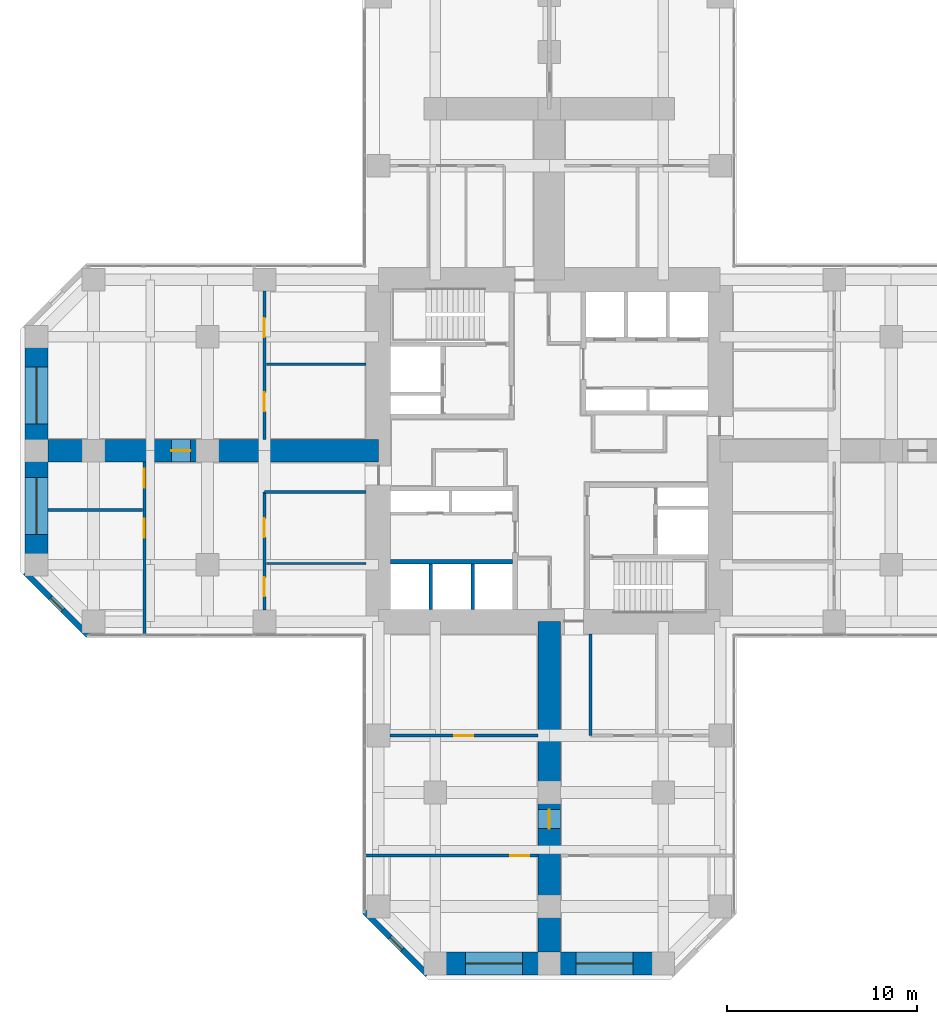
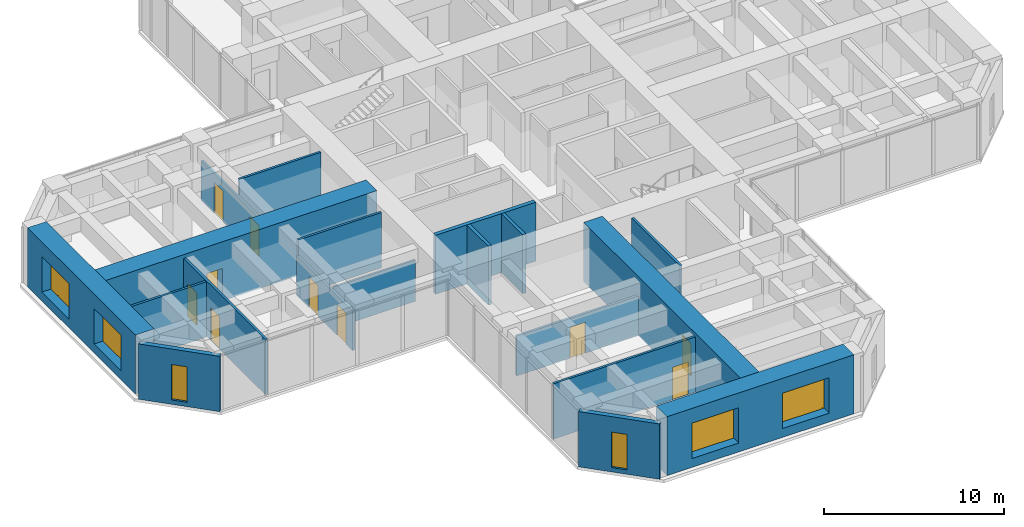
# One storey, part 8 of 13: 19 walls, 10 doors, 6 windows, 16 openings.
"""IFC4 building model written with IfcOpenShell, lengths in metres."""

from ifc_helpers import new_model, si_unit, direction, frame, frame_2d, origin, place, context, subcontext, project, spatial, rectangle, hollow_rectangle, extrude, material, layer, layer_set, constituent, constituent_set, type_object, element, fill, save


model = new_model("IFC4")

# Units and contexts
model_context = context("Model", 3, precision=1e-05, world=origin(), true_north=direction((0.0, 1.0)))
body_context = subcontext(model_context, "Body", "Model", "MODEL_VIEW")
ifc_project = project(units=[si_unit("LENGTHUNIT", "METRE"), si_unit("AREAUNIT", "SQUARE_METRE"), si_unit("VOLUMEUNIT", "CUBIC_METRE"), si_unit("PLANEANGLEUNIT", "RADIAN"), si_unit("MASSUNIT", "GRAM", prefix="KILO")], contexts=[model_context])

# Site, building, storey
site_placement = place(None, origin())
site = spatial("IfcSite", under=ifc_project, at=site_placement, CompositionType="ELEMENT")
building_placement = place(site_placement, origin())
building = spatial("IfcBuilding", under=site, at=building_placement, Name="Torre Cruceta", CompositionType="ELEMENT")
storey_placement = place(building_placement, frame((0.0, 0.0, 91.5)))
storey = spatial("IfcBuildingStorey", under=building, at=storey_placement, Name="L22", CompositionType="ELEMENT", Elevation=91.5)

# Wall
ifc_material_1 = material(Name="Concrete G60 (fck 60 MPa)", Category="concrete")
ifc_layer_1 = layer(ifc_material_1, 0.25)
ifc_layer_set_1 = layer_set([ifc_layer_1], Name="Concrete G60 (fck 60 MPa)")
wall_type_1 = type_object("IfcWallType", Name="CORE INNER WALL 250 G60", PredefinedType="SHEAR", material=ifc_layer_set_1)
wall_1_placement = place(storey_placement, frame((-1.925048828125, -5.85009765625, 0.0), z_axis=(0.0, 0.0, 1.0), x_axis=(-1.0, 0.0, 0.0)))
element("IfcWall", 1, at=wall_1_placement, inside=storey, type_object=wall_type_1, Name="CW4 L22 SW-LV", PredefinedType="SHEAR", context=body_context, shape_type="SweptSolid", body=[
    extrude(rectangle(XDim=6.425048828125, YDim=0.25, at=frame_2d((3.21240234375, 0.0))), origin(), (0.0, 0.0, 1.0), 4.0),
])

# Wall, opening, window
ifc_material_2 = material(Name="Concrete G30 (fck 30 MPa)", Category="concrete")
ifc_layer_2 = layer(ifc_material_2, 0.300048828125)
ifc_layer_set_2 = layer_set([ifc_layer_2], Name="Concrete G30 (fck 30 MPa)")
wall_type_2 = type_object("IfcWallType", Name="EXPOSED CONCRETE FACADE WALL 300", PredefinedType="SOLIDWALL", material=ifc_layer_set_2)
wall_2_placement = place(storey_placement, frame((-27.60009765625, -6.418212890625, 0.0), z_axis=(0.0, 0.0, 1.0), x_axis=(0.707106781187, -0.707106781187, 0.0)))
wall_2 = element("IfcWall", 2, at=wall_2_placement, inside=storey, type_object=wall_type_2, Name="EW1 facade wall L22 W chamfer 13", PredefinedType="SOLIDWALL", context=body_context, shape_type="SweptSolid", body=[
    extrude(rectangle(XDim=4.66943359375, YDim=0.300048828125, at=frame_2d((2.334716796875, 0.0))), origin(), (0.0, 0.0, 1.0), 3.75),
])
opening_1_placement = place(wall_2_placement, frame((1.884765625, 0.0, 0.300048828125)))
opening_1 = element("IfcOpeningElement", 3, at=opening_1_placement, cuts=wall_2, Name="Opening WN5", PredefinedType="OPENING", context=body_context, shape_type="SweptSolid", body=[
    extrude(rectangle(XDim=0.89990234375, YDim=2.39990234375, at=frame_2d((0.449951171875, 1.199951171875))), frame((0.0, 0.159912109375, 0.0), z_axis=(0.0, -1.0, 0.0), x_axis=(1.0, 0.0, 0.0)), (0.0, 0.0, 1.0), 0.320068359375),
])
ifc_material_3 = material(Name="Aluminium window frame", Category="aluminium")
ifc_constituent_1 = constituent(ifc_material_3, Name="Frame")
ifc_material_4 = material(Name="Laminated insulating glass unit, low-iron clear", Category="glass")
ifc_constituent_2 = constituent(ifc_material_4, Name="Glazing")
ifc_constituent_set_1 = constituent_set(constituents=[ifc_constituent_1, ifc_constituent_2], Name="Aluminium window")
window_type_1 = type_object("IfcWindowType", Name="CHAMFER SLOT WINDOW 900X2400", PartitioningType="SINGLE_PANEL", PredefinedType="WINDOW", material=ifc_constituent_set_1)
window_1_placement = place(opening_1_placement, origin())
window_1 = element("IfcWindow", 4, at=window_1_placement, inside=storey, type_object=window_type_1, Name="WN5 L22 W 1", OverallHeight=2.39990234375, OverallWidth=0.89990234375, PartitioningType="SINGLE_PANEL", PredefinedType="WINDOW", context=body_context, shape_type="SweptSolid", body=[
    extrude(hollow_rectangle(XDim=0.89990234375, YDim=2.39990234375, WallThickness=0.06005859375, at=frame_2d((0.449951171875, 1.199951171875))), frame((0.0, 0.030029296875, 0.0), z_axis=(0.0, -1.0, 0.0), x_axis=(1.0, 0.0, 0.0)), (0.0, 0.0, 1.0), 0.06005859375),
    extrude(rectangle(XDim=0.77880859375, YDim=2.27880859375, at=frame_2d((0.449951171875, 1.199951171875))), frame((0.0, 0.030029296875, 0.0), z_axis=(0.0, -1.0, 0.0), x_axis=(1.0, 0.0, 0.0)), (0.0, 0.0, 1.0), 0.06005859375),
])
fill(opening_1, window_1)

wall_3_placement = place(storey_placement, frame((-9.719970703125, -24.29833984375, 0.0), z_axis=(0.0, 0.0, 1.0), x_axis=(0.707106781187, -0.707106781187, 0.0)))
wall_3 = element("IfcWall", 5, at=wall_3_placement, inside=storey, type_object=wall_type_2, Name="EW1 facade wall L22 S chamfer 16", PredefinedType="SOLIDWALL", context=body_context, shape_type="SweptSolid", body=[
    extrude(rectangle(XDim=4.66943359375, YDim=0.300048828125, at=frame_2d((2.334716796875, 0.0))), origin(), (0.0, 0.0, 1.0), 3.75),
])
opening_2_placement = place(wall_3_placement, frame((1.884765625, 0.0, 0.300048828125)))
opening_2 = element("IfcOpeningElement", 6, at=opening_2_placement, cuts=wall_3, Name="Opening WN5", PredefinedType="OPENING", context=body_context, shape_type="SweptSolid", body=[
    extrude(rectangle(XDim=0.89990234375, YDim=2.39990234375, at=frame_2d((0.449951171875, 1.199951171875))), frame((0.0, 0.159912109375, 0.0), z_axis=(0.0, -1.0, 0.0), x_axis=(1.0, 0.0, 0.0)), (0.0, 0.0, 1.0), 0.320068359375),
])
window_2_placement = place(opening_2_placement, origin())
window_2 = element("IfcWindow", 7, at=window_2_placement, inside=storey, type_object=window_type_1, Name="WN5 L22 S 1", OverallHeight=2.39990234375, OverallWidth=0.89990234375, PartitioningType="SINGLE_PANEL", PredefinedType="WINDOW", context=body_context, shape_type="SweptSolid", body=[
    extrude(hollow_rectangle(XDim=0.89990234375, YDim=2.39990234375, WallThickness=0.06005859375, at=frame_2d((0.449951171875, 1.199951171875))), frame((0.0, 0.030029296875, 0.0), z_axis=(0.0, -1.0, 0.0), x_axis=(1.0, 0.0, 0.0)), (0.0, 0.0, 1.0), 0.06005859375),
    extrude(rectangle(XDim=0.77880859375, YDim=2.27880859375, at=frame_2d((0.449951171875, 1.199951171875))), frame((0.0, 0.030029296875, 0.0), z_axis=(0.0, -1.0, 0.0), x_axis=(1.0, 0.0, 0.0)), (0.0, 0.0, 1.0), 0.06005859375),
])
fill(opening_2, window_2)

# Walls
ifc_material_5 = material(Name="Concrete G35 (fck 35 MPa)", Category="concrete")
ifc_layer_3 = layer(ifc_material_5, 0.199951171875)
ifc_layer_set_3 = layer_set([ifc_layer_3], Name="Concrete G35 (fck 35 MPa)")
wall_type_3 = type_object("IfcWallType", Name="LIFT SHAFT WALL 200", PredefinedType="PARTITIONING", material=ifc_layer_set_3)
for number, where, z_axis, x_axis, name in (
    (8, (-4.033447265625, -5.97509765625, 0.0), (0.0, 0.0, 1.0), (0.0, -1.0, 0.0), "SW1 L22 SW-LS1"),
    (9, (-6.24169921875, -5.97509765625, 0.0), (0.0, 0.0, 1.0), (0.0, -1.0, 0.0), "SW1 L22 SW-LS2"),
):
    element("IfcWall", number, at=place(storey_placement, frame(where, z_axis=z_axis, x_axis=x_axis)), inside=storey, type_object=wall_type_3, Name=name, PredefinedType="PARTITIONING", context=body_context, shape_type="SweptSolid", body=[
        extrude(rectangle(XDim=2.375, YDim=0.199951171875, at=frame_2d((1.1875, 0.0))), origin(), (0.0, 0.0, 1.0), 4.0),
    ])

# Wall, openings, windows
ifc_material_6 = material(Name="Concrete G60 (fck 60 MPa)", Category="concrete")
ifc_layer_4 = layer(ifc_material_6, 1.199951171875)
ifc_layer_set_4 = layer_set([ifc_layer_4], Name="Concrete G60 (fck 60 MPa)")
wall_type_4 = type_object("IfcWallType", Name="NOSE WALL 1200 G60", PredefinedType="SHEAR", material=ifc_layer_set_4)
wall_4_placement = place(storey_placement, frame((-6.0, -27.0, 0.0), z_axis=(0.0, 0.0, 1.0), x_axis=(1.0, 0.0, 0.0)))
wall_4 = element("IfcWall", 10, at=wall_4_placement, inside=storey, type_object=wall_type_4, Name="NW1 nose wall L22 S", PredefinedType="SHEAR", context=body_context, shape_type="SweptSolid", body=[
    extrude(rectangle(XDim=12.0, YDim=1.199951171875, at=frame_2d((6.0, 0.0))), origin(), (0.0, 0.0, 1.0), 4.0),
])
opening_3_placement = place(wall_4_placement, frame((1.60009765625, 0.0, 0.60009765625)))
opening_3 = element("IfcOpeningElement", 11, at=opening_3_placement, cuts=wall_4, Name="Opening WN6", PredefinedType="OPENING", context=body_context, shape_type="SweptSolid", body=[
    extrude(rectangle(XDim=3.0, YDim=2.39990234375, at=frame_2d((1.5, 1.199951171875))), frame((0.0, 0.60986328125, 0.0), z_axis=(0.0, -1.0, 0.0), x_axis=(1.0, 0.0, 0.0)), (0.0, 0.0, 1.0), 1.219970703125),
])
opening_4_placement = place(wall_4_placement, frame((7.39990234375, 0.0, 0.60009765625)))
opening_4 = element("IfcOpeningElement", 12, at=opening_4_placement, cuts=wall_4, Name="Opening WN6", PredefinedType="OPENING", context=body_context, shape_type="SweptSolid", body=[
    extrude(rectangle(XDim=3.0, YDim=2.39990234375, at=frame_2d((1.5, 1.199951171875))), frame((0.0, 0.60986328125, 0.0), z_axis=(0.0, -1.0, 0.0), x_axis=(1.0, 0.0, 0.0)), (0.0, 0.0, 1.0), 1.219970703125),
])
ifc_material_7 = material(Name="Aluminium window frame", Category="aluminium")
ifc_constituent_3 = constituent(ifc_material_7, Name="Frame")
ifc_material_8 = material(Name="Laminated insulating glass unit, low-iron clear", Category="glass")
ifc_constituent_4 = constituent(ifc_material_8, Name="Glazing")
ifc_constituent_set_2 = constituent_set(constituents=[ifc_constituent_3, ifc_constituent_4], Name="Aluminium window")
window_type_2 = type_object("IfcWindowType", Name="NOSE WALL WINDOW 3000X2400", PartitioningType="SINGLE_PANEL", PredefinedType="WINDOW", material=ifc_constituent_set_2)
window_3_placement = place(opening_3_placement, origin())
window_3 = element("IfcWindow", 13, at=window_3_placement, inside=storey, type_object=window_type_2, Name="WN6 L22 S 1", OverallHeight=2.39990234375, OverallWidth=3.0, PartitioningType="SINGLE_PANEL", PredefinedType="WINDOW", context=body_context, shape_type="SweptSolid", body=[
    extrude(hollow_rectangle(XDim=3.0, YDim=2.39990234375, WallThickness=0.06005859375, at=frame_2d((1.5, 1.199951171875))), frame((0.0, 0.030029296875, 0.0), z_axis=(0.0, -1.0, 0.0), x_axis=(1.0, 0.0, 0.0)), (0.0, 0.0, 1.0), 0.06005859375),
    extrude(rectangle(XDim=2.87890625, YDim=2.27880859375, at=frame_2d((1.5, 1.199951171875))), frame((0.0, 0.030029296875, 0.0), z_axis=(0.0, -1.0, 0.0), x_axis=(1.0, 0.0, 0.0)), (0.0, 0.0, 1.0), 0.06005859375),
])
fill(opening_3, window_3)
window_4_placement = place(opening_4_placement, origin())
window_4 = element("IfcWindow", 14, at=window_4_placement, inside=storey, type_object=window_type_2, Name="WN6 L22 S 2", OverallHeight=2.39990234375, OverallWidth=3.0, PartitioningType="SINGLE_PANEL", PredefinedType="WINDOW", context=body_context, shape_type="SweptSolid", body=[
    extrude(hollow_rectangle(XDim=3.0, YDim=2.39990234375, WallThickness=0.06005859375, at=frame_2d((1.5, 1.199951171875))), frame((0.0, 0.030029296875, 0.0), z_axis=(0.0, -1.0, 0.0), x_axis=(1.0, 0.0, 0.0)), (0.0, 0.0, 1.0), 0.06005859375),
    extrude(rectangle(XDim=2.87890625, YDim=2.27880859375, at=frame_2d((1.5, 1.199951171875))), frame((0.0, 0.030029296875, 0.0), z_axis=(0.0, -1.0, 0.0), x_axis=(1.0, 0.0, 0.0)), (0.0, 0.0, 1.0), 0.06005859375),
])
fill(opening_4, window_4)

wall_5_placement = place(storey_placement, frame((-27.0, 6.0, 0.0), z_axis=(0.0, 0.0, 1.0), x_axis=(0.0, -1.0, 0.0)))
wall_5 = element("IfcWall", 15, at=wall_5_placement, inside=storey, type_object=wall_type_4, Name="NW1 nose wall L22 W", PredefinedType="SHEAR", context=body_context, shape_type="SweptSolid", body=[
    extrude(rectangle(XDim=12.0, YDim=1.199951171875, at=frame_2d((6.0, 0.0))), origin(), (0.0, 0.0, 1.0), 4.0),
])
opening_5_placement = place(wall_5_placement, frame((1.60009765625, 0.0, 0.60009765625)))
opening_5 = element("IfcOpeningElement", 16, at=opening_5_placement, cuts=wall_5, Name="Opening WN6", PredefinedType="OPENING", context=body_context, shape_type="SweptSolid", body=[
    extrude(rectangle(XDim=3.0, YDim=2.39990234375, at=frame_2d((1.5, 1.199951171875))), frame((0.0, 0.60986328125, 0.0), z_axis=(0.0, -1.0, 0.0), x_axis=(1.0, 0.0, 0.0)), (0.0, 0.0, 1.0), 1.219970703125),
])
opening_6_placement = place(wall_5_placement, frame((7.39990234375, 0.0, 0.60009765625)))
opening_6 = element("IfcOpeningElement", 17, at=opening_6_placement, cuts=wall_5, Name="Opening WN6", PredefinedType="OPENING", context=body_context, shape_type="SweptSolid", body=[
    extrude(rectangle(XDim=3.0, YDim=2.39990234375, at=frame_2d((1.5, 1.199951171875))), frame((0.0, 0.60986328125, 0.0), z_axis=(0.0, -1.0, 0.0), x_axis=(1.0, 0.0, 0.0)), (0.0, 0.0, 1.0), 1.219970703125),
])
window_5_placement = place(opening_5_placement, origin())
window_5 = element("IfcWindow", 18, at=window_5_placement, inside=storey, type_object=window_type_2, Name="WN6 L22 W 1", OverallHeight=2.39990234375, OverallWidth=3.0, PartitioningType="SINGLE_PANEL", PredefinedType="WINDOW", context=body_context, shape_type="SweptSolid", body=[
    extrude(hollow_rectangle(XDim=3.0, YDim=2.39990234375, WallThickness=0.06005859375, at=frame_2d((1.5, 1.199951171875))), frame((0.0, 0.030029296875, 0.0), z_axis=(0.0, -1.0, 0.0), x_axis=(1.0, 0.0, 0.0)), (0.0, 0.0, 1.0), 0.06005859375),
    extrude(rectangle(XDim=2.87890625, YDim=2.27880859375, at=frame_2d((1.5, 1.199951171875))), frame((0.0, 0.030029296875, 0.0), z_axis=(0.0, -1.0, 0.0), x_axis=(1.0, 0.0, 0.0)), (0.0, 0.0, 1.0), 0.06005859375),
])
fill(opening_5, window_5)
window_6_placement = place(opening_6_placement, origin())
window_6 = element("IfcWindow", 19, at=window_6_placement, inside=storey, type_object=window_type_2, Name="WN6 L22 W 2", OverallHeight=2.39990234375, OverallWidth=3.0, PartitioningType="SINGLE_PANEL", PredefinedType="WINDOW", context=body_context, shape_type="SweptSolid", body=[
    extrude(hollow_rectangle(XDim=3.0, YDim=2.39990234375, WallThickness=0.06005859375, at=frame_2d((1.5, 1.199951171875))), frame((0.0, 0.030029296875, 0.0), z_axis=(0.0, -1.0, 0.0), x_axis=(1.0, 0.0, 0.0)), (0.0, 0.0, 1.0), 0.06005859375),
    extrude(rectangle(XDim=2.87890625, YDim=2.27880859375, at=frame_2d((1.5, 1.199951171875))), frame((0.0, 0.030029296875, 0.0), z_axis=(0.0, -1.0, 0.0), x_axis=(1.0, 0.0, 0.0)), (0.0, 0.0, 1.0), 0.06005859375),
])
fill(opening_6, window_6)

# Wall
ifc_material_9 = material(Name="Plasterboard on steel studs", Category="steel")
ifc_layer_5 = layer(ifc_material_9, 0.14990234375)
ifc_layer_set_5 = layer_set([ifc_layer_5], Name="Plasterboard on steel studs")
wall_type_5 = type_object("IfcWallType", Name="PARTITION 150", PredefinedType="PARTITIONING", material=ifc_layer_set_5)
wall_6_placement = place(storey_placement, frame((2.175048828125, -9.64990234375, 0.0), z_axis=(0.0, 0.0, 1.0), x_axis=(0.0, -1.0, 0.0)))
element("IfcWall", 20, at=wall_6_placement, inside=storey, type_object=wall_type_5, Name="PT1 L22-S-BSL", PredefinedType="PARTITIONING", context=body_context, shape_type="SweptSolid", body=[
    extrude(rectangle(XDim=5.35009765625, YDim=0.14990234375, at=frame_2d((2.675048828125, 0.0))), origin(), (0.0, 0.0, 1.0), 3.75),
])

# Wall, opening, door
wall_7_placement = place(storey_placement, frame((-8.39990234375, -15.0, 0.0), z_axis=(0.0, 0.0, 1.0), x_axis=(1.0, 0.0, 0.0)))
wall_7 = element("IfcWall", 21, at=wall_7_placement, inside=storey, type_object=wall_type_5, Name="PT1 L22-S-BFR", PredefinedType="PARTITIONING", context=body_context, shape_type="SweptSolid", body=[
    extrude(rectangle(XDim=7.7998046875, YDim=0.14990234375, at=frame_2d((3.89990234375, 0.0))), origin(), (0.0, 0.0, 1.0), 2.699951171875),
])
opening_7_placement = place(wall_7_placement, frame((3.39990234375, 0.0, 0.0)))
opening_7 = element("IfcOpeningElement", 22, at=opening_7_placement, cuts=wall_7, Name="Opening D3", PredefinedType="OPENING", context=body_context, shape_type="SweptSolid", body=[
    extrude(rectangle(XDim=1.0, YDim=2.10009765625, at=frame_2d((0.5, 1.050048828125))), frame((0.0, 0.0849609375, 0.0), z_axis=(0.0, -1.0, 0.0), x_axis=(1.0, 0.0, 0.0)), (0.0, 0.0, 1.0), 0.169921875),
])
ifc_material_10 = material(Name="Steel DX51D", Category="steel")
ifc_constituent_5 = constituent(ifc_material_10, Name="Leaf and frame")
ifc_material_11 = material(Name="Polyester powder coating", Category="paint")
ifc_constituent_6 = constituent(ifc_material_11, Name="Finish")
ifc_constituent_set_3 = constituent_set(constituents=[ifc_constituent_5, ifc_constituent_6], Name="Steel fire door")
door_type_1 = type_object("IfcDoorType", Name="FIRE DOOR 1000X2100", OperationType="SINGLE_SWING_LEFT", PredefinedType="DOOR", material=ifc_constituent_set_3)
door_1_placement = place(opening_7_placement, origin())
door_1 = element("IfcDoor", 23, at=door_1_placement, inside=storey, type_object=door_type_1, Name="D3 L22-S-BFR-D1", OperationType="SINGLE_SWING_RIGHT", OverallHeight=2.10009765625, OverallWidth=1.0, PredefinedType="DOOR", context=body_context, shape_type="SweptSolid", body=[
    extrude(rectangle(XDim=1.0, YDim=2.10009765625, at=frame_2d((0.5, 1.050048828125))), frame((0.0, 0.02490234375, 0.0), z_axis=(0.0, -1.0, 0.0), x_axis=(1.0, 0.0, 0.0)), (0.0, 0.0, 1.0), 0.050048828125),
])
fill(opening_7, door_1)

wall_8_placement = place(storey_placement, frame((-9.679931640625, -21.320068359375, 0.0), z_axis=(0.0, 0.0, 1.0), x_axis=(1.0, 0.0, 0.0)))
wall_8 = element("IfcWall", 24, at=wall_8_placement, inside=storey, type_object=wall_type_5, Name="PT1 L22-S-TWR", PredefinedType="PARTITIONING", context=body_context, shape_type="SweptSolid", body=[
    extrude(rectangle(XDim=9.079833984375, YDim=0.14990234375, at=frame_2d((4.5400390625, 0.0))), origin(), (0.0, 0.0, 1.0), 3.75),
])
opening_8_placement = place(wall_8_placement, frame((7.6298828125, 0.0, 0.0)))
opening_8 = element("IfcOpeningElement", 25, at=opening_8_placement, cuts=wall_8, Name="Opening D14", PredefinedType="OPENING", context=body_context, shape_type="SweptSolid", body=[
    extrude(rectangle(XDim=1.0, YDim=2.199951171875, at=frame_2d((0.5, 1.10009765625))), frame((0.0, 0.0849609375, 0.0), z_axis=(0.0, -1.0, 0.0), x_axis=(1.0, 0.0, 0.0)), (0.0, 0.0, 1.0), 0.169921875),
])
ifc_material_12 = material(Name="Steel DX51D", Category="steel")
ifc_constituent_7 = constituent(ifc_material_12, Name="Leaf and frame")
ifc_material_13 = material(Name="Polyester powder coating", Category="paint")
ifc_constituent_8 = constituent(ifc_material_13, Name="Finish")
ifc_material_14 = material(Name="Fire-resisting glass", Category="glass")
ifc_constituent_9 = constituent(ifc_material_14, Name="Vision panel")
ifc_constituent_set_4 = constituent_set(constituents=[ifc_constituent_7, ifc_constituent_8, ifc_constituent_9], Name="Steel fire door with vision panel")
door_type_2 = type_object("IfcDoorType", Name="FIRE DOOR VISION PANEL 1000X2200", OperationType="SINGLE_SWING_RIGHT", PredefinedType="DOOR", material=ifc_constituent_set_4)
door_2_placement = place(opening_8_placement, frame((1.0, 0.0, 0.0), z_axis=(0.0, 0.0, 1.0), x_axis=(-1.0, 0.0, 0.0)))
door_2 = element("IfcDoor", 26, at=door_2_placement, inside=storey, type_object=door_type_2, Name="D14 L22-S-TWR-D1", OperationType="SINGLE_SWING_LEFT", OverallHeight=2.199951171875, OverallWidth=1.0, PredefinedType="DOOR", context=body_context, shape_type="SweptSolid", body=[
    extrude(rectangle(XDim=1.0, YDim=2.199951171875, at=frame_2d((0.5, 1.10009765625))), frame((0.0, 0.025146484375, 0.0), z_axis=(0.0, -1.0, 0.0), x_axis=(1.0, 0.0, 0.0)), (0.0, 0.0, 1.0), 0.050048828125),
])
fill(opening_8, door_2)

# Wall, openings, doors
wall_9_placement = place(storey_placement, frame((-15.0, -2.175048828125, 0.0), z_axis=(0.0, 0.0, 1.0), x_axis=(0.0, -1.0, 0.0)))
wall_9 = element("IfcWall", 27, at=wall_9_placement, inside=storey, type_object=wall_type_5, Name="PT1 L22-W-BFL", PredefinedType="PARTITIONING", context=body_context, shape_type="SweptSolid", body=[
    extrude(rectangle(XDim=6.224853515625, YDim=0.14990234375, at=frame_2d((3.1123046875, 0.0))), origin(), (0.0, 0.0, 1.0), 2.699951171875),
])
opening_9_placement = place(wall_9_placement, frame((1.382080078125, 0.0, 0.0)))
opening_9 = element("IfcOpeningElement", 28, at=opening_9_placement, cuts=wall_9, Name="Opening D3", PredefinedType="OPENING", context=body_context, shape_type="SweptSolid", body=[
    extrude(rectangle(XDim=1.0, YDim=2.10009765625, at=frame_2d((0.5, 1.050048828125))), frame((0.0, 0.0849609375, 0.0), z_axis=(0.0, -1.0, 0.0), x_axis=(1.0, 0.0, 0.0)), (0.0, 0.0, 1.0), 0.169921875),
])
opening_10_placement = place(wall_9_placement, frame((4.494384765625, 0.0, 0.0)))
opening_10 = element("IfcOpeningElement", 29, at=opening_10_placement, cuts=wall_9, Name="Opening D3", PredefinedType="OPENING", context=body_context, shape_type="SweptSolid", body=[
    extrude(rectangle(XDim=1.0, YDim=2.10009765625, at=frame_2d((0.5, 1.050048828125))), frame((0.0, 0.0849609375, 0.0), z_axis=(0.0, -1.0, 0.0), x_axis=(1.0, 0.0, 0.0)), (0.0, 0.0, 1.0), 0.169921875),
])
door_3_placement = place(opening_9_placement, origin())
door_3 = element("IfcDoor", 30, at=door_3_placement, inside=storey, type_object=door_type_1, Name="D3 L22-W-BFL-D1", OperationType="SINGLE_SWING_LEFT", OverallHeight=2.10009765625, OverallWidth=1.0, PredefinedType="DOOR", context=body_context, shape_type="SweptSolid", body=[
    extrude(rectangle(XDim=1.0, YDim=2.10009765625, at=frame_2d((0.5, 1.050048828125))), frame((0.0, 0.02490234375, 0.0), z_axis=(0.0, -1.0, 0.0), x_axis=(1.0, 0.0, 0.0)), (0.0, 0.0, 1.0), 0.050048828125),
])
fill(opening_9, door_3)
door_4_placement = place(opening_10_placement, origin())
door_4 = element("IfcDoor", 31, at=door_4_placement, inside=storey, type_object=door_type_1, Name="D3 L22-W-BFL-D2", OperationType="SINGLE_SWING_LEFT", OverallHeight=2.10009765625, OverallWidth=1.0, PredefinedType="DOOR", context=body_context, shape_type="SweptSolid", body=[
    extrude(rectangle(XDim=1.0, YDim=2.10009765625, at=frame_2d((0.5, 1.050048828125))), frame((0.0, 0.02490234375, 0.0), z_axis=(0.0, -1.0, 0.0), x_axis=(1.0, 0.0, 0.0)), (0.0, 0.0, 1.0), 0.050048828125),
])
fill(opening_10, door_4)

# Wall
wall_10_placement = place(storey_placement, frame((-9.64990234375, -2.175048828125, 0.0), z_axis=(0.0, 0.0, 1.0), x_axis=(-1.0, 0.0, 0.0)))
element("IfcWall", 32, at=wall_10_placement, inside=storey, type_object=wall_type_5, Name="PT1 L22-W-BSL", PredefinedType="PARTITIONING", context=body_context, shape_type="SweptSolid", body=[
    extrude(rectangle(XDim=5.35009765625, YDim=0.14990234375, at=frame_2d((2.675048828125, 0.0))), origin(), (0.0, 0.0, 1.0), 3.75),
])

# Wall, openings, doors
wall_11_placement = place(storey_placement, frame((-15.0, 8.39990234375, 0.0), z_axis=(0.0, 0.0, 1.0), x_axis=(0.0, -1.0, 0.0)))
wall_11 = element("IfcWall", 33, at=wall_11_placement, inside=storey, type_object=wall_type_5, Name="PT1 L22-W-BFR", PredefinedType="PARTITIONING", context=body_context, shape_type="SweptSolid", body=[
    extrude(rectangle(XDim=7.7998046875, YDim=0.14990234375, at=frame_2d((3.89990234375, 0.0))), origin(), (0.0, 0.0, 1.0), 2.699951171875),
])
opening_11_placement = place(wall_11_placement, frame((1.425048828125, 0.0, 0.0)))
opening_11 = element("IfcOpeningElement", 34, at=opening_11_placement, cuts=wall_11, Name="Opening D3", PredefinedType="OPENING", context=body_context, shape_type="SweptSolid", body=[
    extrude(rectangle(XDim=1.0, YDim=2.10009765625, at=frame_2d((0.5, 1.050048828125))), frame((0.0, 0.0849609375, 0.0), z_axis=(0.0, -1.0, 0.0), x_axis=(1.0, 0.0, 0.0)), (0.0, 0.0, 1.0), 0.169921875),
])
opening_12_placement = place(wall_11_placement, frame((5.324951171875, 0.0, 0.0)))
opening_12 = element("IfcOpeningElement", 35, at=opening_12_placement, cuts=wall_11, Name="Opening D3", PredefinedType="OPENING", context=body_context, shape_type="SweptSolid", body=[
    extrude(rectangle(XDim=1.0, YDim=2.10009765625, at=frame_2d((0.5, 1.050048828125))), frame((0.0, 0.0849609375, 0.0), z_axis=(0.0, -1.0, 0.0), x_axis=(1.0, 0.0, 0.0)), (0.0, 0.0, 1.0), 0.169921875),
])
door_5_placement = place(opening_11_placement, origin())
door_5 = element("IfcDoor", 36, at=door_5_placement, inside=storey, type_object=door_type_1, Name="D3 L22-W-BFR-D1", OperationType="SINGLE_SWING_RIGHT", OverallHeight=2.10009765625, OverallWidth=1.0, PredefinedType="DOOR", context=body_context, shape_type="SweptSolid", body=[
    extrude(rectangle(XDim=1.0, YDim=2.10009765625, at=frame_2d((0.5, 1.050048828125))), frame((0.0, 0.02490234375, 0.0), z_axis=(0.0, -1.0, 0.0), x_axis=(1.0, 0.0, 0.0)), (0.0, 0.0, 1.0), 0.050048828125),
])
fill(opening_11, door_5)
door_6_placement = place(opening_12_placement, origin())
door_6 = element("IfcDoor", 37, at=door_6_placement, inside=storey, type_object=door_type_1, Name="D3 L22-W-BFR-D2", OperationType="SINGLE_SWING_LEFT", OverallHeight=2.10009765625, OverallWidth=1.0, PredefinedType="DOOR", context=body_context, shape_type="SweptSolid", body=[
    extrude(rectangle(XDim=1.0, YDim=2.10009765625, at=frame_2d((0.5, 1.050048828125))), frame((0.0, 0.02490234375, 0.0), z_axis=(0.0, -1.0, 0.0), x_axis=(1.0, 0.0, 0.0)), (0.0, 0.0, 1.0), 0.050048828125),
])
fill(opening_12, door_6)

# Walls
wall_12_placement = place(storey_placement, frame((-9.64990234375, 4.550048828125, 0.0), z_axis=(0.0, 0.0, 1.0), x_axis=(-1.0, 0.0, 0.0)))
element("IfcWall", 38, at=wall_12_placement, inside=storey, type_object=wall_type_5, Name="PT1 L22-W-BDR1", PredefinedType="PARTITIONING", context=body_context, shape_type="SweptSolid", body=[
    extrude(rectangle(XDim=5.25, YDim=0.14990234375, at=frame_2d((2.625, 0.0))), origin(), (0.0, 0.0, 1.0), 3.75),
])
wall_13_placement = place(storey_placement, frame((-21.419921875, -3.117919921875, 0.0), z_axis=(0.0, 0.0, 1.0), x_axis=(-1.0, 0.0, 0.0)))
element("IfcWall", 39, at=wall_13_placement, inside=storey, type_object=wall_type_5, Name="PT1 L22-W-TDL", PredefinedType="PARTITIONING", context=body_context, shape_type="SweptSolid", body=[
    extrude(rectangle(XDim=4.97998046875, YDim=0.14990234375, at=frame_2d((2.489990234375, 0.0))), origin(), (0.0, 0.0, 1.0), 3.75),
])

# Wall, openings, doors
wall_14_placement = place(storey_placement, frame((-21.320068359375, -0.60009765625, 0.0), z_axis=(0.0, 0.0, 1.0), x_axis=(0.0, -1.0, 0.0)))
wall_14 = element("IfcWall", 40, at=wall_14_placement, inside=storey, type_object=wall_type_5, Name="PT1 L22-W-TWL", PredefinedType="PARTITIONING", context=body_context, shape_type="SweptSolid", body=[
    extrude(rectangle(XDim=9.079833984375, YDim=0.14990234375, at=frame_2d((4.5400390625, 0.0))), origin(), (0.0, 0.0, 1.0), 3.75),
])
opening_13_placement = place(wall_14_placement, frame((0.35009765625, 0.0, 0.0)))
opening_13 = element("IfcOpeningElement", 41, at=opening_13_placement, cuts=wall_14, Name="Opening D14", PredefinedType="OPENING", context=body_context, shape_type="SweptSolid", body=[
    extrude(rectangle(XDim=1.0, YDim=2.199951171875, at=frame_2d((0.5, 1.10009765625))), frame((0.0, 0.0849609375, 0.0), z_axis=(0.0, -1.0, 0.0), x_axis=(1.0, 0.0, 0.0)), (0.0, 0.0, 1.0), 0.169921875),
])
opening_14_placement = place(wall_14_placement, frame((2.992919921875, 0.0, 0.0)))
opening_14 = element("IfcOpeningElement", 42, at=opening_14_placement, cuts=wall_14, Name="Opening D14", PredefinedType="OPENING", context=body_context, shape_type="SweptSolid", body=[
    extrude(rectangle(XDim=1.0, YDim=2.199951171875, at=frame_2d((0.5, 1.10009765625))), frame((0.0, 0.0849609375, 0.0), z_axis=(0.0, -1.0, 0.0), x_axis=(1.0, 0.0, 0.0)), (0.0, 0.0, 1.0), 0.169921875),
])
door_7_placement = place(opening_13_placement, frame((1.0, 0.0, 0.0), z_axis=(0.0, 0.0, 1.0), x_axis=(-1.0, 0.0, 0.0)))
door_7 = element("IfcDoor", 43, at=door_7_placement, inside=storey, type_object=door_type_2, Name="D14 L22-W-TWL-D1", OperationType="SINGLE_SWING_RIGHT", OverallHeight=2.199951171875, OverallWidth=1.0, PredefinedType="DOOR", context=body_context, shape_type="SweptSolid", body=[
    extrude(rectangle(XDim=1.0, YDim=2.199951171875, at=frame_2d((0.5, 1.10009765625))), frame((0.0, 0.025146484375, 0.0), z_axis=(0.0, -1.0, 0.0), x_axis=(1.0, 0.0, 0.0)), (0.0, 0.0, 1.0), 0.050048828125),
])
fill(opening_13, door_7)
door_8_placement = place(opening_14_placement, frame((1.0, 0.0, 0.0), z_axis=(0.0, 0.0, 1.0), x_axis=(-1.0, 0.0, 0.0)))
door_8 = element("IfcDoor", 44, at=door_8_placement, inside=storey, type_object=door_type_2, Name="D14 L22-W-TWL-D2", OperationType="SINGLE_SWING_RIGHT", OverallHeight=2.199951171875, OverallWidth=1.0, PredefinedType="DOOR", context=body_context, shape_type="SweptSolid", body=[
    extrude(rectangle(XDim=1.0, YDim=2.199951171875, at=frame_2d((0.5, 1.10009765625))), frame((0.0, 0.025146484375, 0.0), z_axis=(0.0, -1.0, 0.0), x_axis=(1.0, 0.0, 0.0)), (0.0, 0.0, 1.0), 0.050048828125),
])
fill(opening_14, door_8)

# Wall, opening, door
ifc_material_15 = material(Name="Concrete G60 (fck 60 MPa)", Category="concrete")
ifc_layer_6 = layer(ifc_material_15, 1.199951171875)
ifc_layer_set_6 = layer_set([ifc_layer_6], Name="Concrete G60 (fck 60 MPa)")
wall_type_6 = type_object("IfcWallType", Name="SPINE WALL 1200 G60", PredefinedType="SHEAR", material=ifc_layer_set_6)
wall_15_placement = place(storey_placement, frame((0.0, -9.0, 0.0), z_axis=(0.0, 0.0, 1.0), x_axis=(0.0, -1.0, 0.0)))
wall_15 = element("IfcWall", 45, at=wall_15_placement, inside=storey, type_object=wall_type_6, Name="SW3 spine wall L22 S", PredefinedType="SHEAR", context=body_context, shape_type="SweptSolid", body=[
    extrude(rectangle(XDim=18.0, YDim=1.199951171875, at=frame_2d((9.0, 0.0))), origin(), (0.0, 0.0, 1.0), 4.0),
])
opening_15_placement = place(wall_15_placement, frame((9.89990234375, 0.0, 0.0)))
opening_15 = element("IfcOpeningElement", 46, at=opening_15_placement, cuts=wall_15, Name="Opening D14", PredefinedType="OPENING", context=body_context, shape_type="SweptSolid", body=[
    extrude(rectangle(XDim=1.0, YDim=2.199951171875, at=frame_2d((0.5, 1.10009765625))), frame((0.0, 0.60986328125, 0.0), z_axis=(0.0, -1.0, 0.0), x_axis=(1.0, 0.0, 0.0)), (0.0, 0.0, 1.0), 1.219970703125),
])
door_9_placement = place(opening_15_placement, frame((1.0, 0.0, 0.0), z_axis=(0.0, 0.0, 1.0), x_axis=(-1.0, 0.0, 0.0)))
door_9 = element("IfcDoor", 47, at=door_9_placement, inside=storey, type_object=door_type_2, Name="D14 L22-S-SP1", OperationType="SINGLE_SWING_LEFT", OverallHeight=2.199951171875, OverallWidth=1.0, PredefinedType="DOOR", context=body_context, shape_type="SweptSolid", body=[
    extrude(rectangle(XDim=1.0, YDim=2.199951171875, at=frame_2d((0.5, 1.10009765625))), frame((0.0, 0.025146484375, 0.0), z_axis=(0.0, -1.0, 0.0), x_axis=(1.0, 0.0, 0.0)), (0.0, 0.0, 1.0), 0.050048828125),
])
fill(opening_15, door_9)

wall_16_placement = place(storey_placement, frame((-9.0, 0.0, 0.0), z_axis=(0.0, 0.0, 1.0), x_axis=(-1.0, 0.0, 0.0)))
wall_16 = element("IfcWall", 48, at=wall_16_placement, inside=storey, type_object=wall_type_6, Name="SW3 spine wall L22 W", PredefinedType="SHEAR", context=body_context, shape_type="SweptSolid", body=[
    extrude(rectangle(XDim=18.0, YDim=1.199951171875, at=frame_2d((9.0, 0.0))), origin(), (0.0, 0.0, 1.0), 4.0),
])
opening_16_placement = place(wall_16_placement, frame((9.89990234375, 0.0, 0.0)))
opening_16 = element("IfcOpeningElement", 49, at=opening_16_placement, cuts=wall_16, Name="Opening D14", PredefinedType="OPENING", context=body_context, shape_type="SweptSolid", body=[
    extrude(rectangle(XDim=1.0, YDim=2.199951171875, at=frame_2d((0.5, 1.10009765625))), frame((0.0, 0.60986328125, 0.0), z_axis=(0.0, -1.0, 0.0), x_axis=(1.0, 0.0, 0.0)), (0.0, 0.0, 1.0), 1.219970703125),
])
door_10_placement = place(opening_16_placement, origin())
door_10 = element("IfcDoor", 50, at=door_10_placement, inside=storey, type_object=door_type_2, Name="D14 L22-W-SP1", OperationType="SINGLE_SWING_RIGHT", OverallHeight=2.199951171875, OverallWidth=1.0, PredefinedType="DOOR", context=body_context, shape_type="SweptSolid", body=[
    extrude(rectangle(XDim=1.0, YDim=2.199951171875, at=frame_2d((0.5, 1.10009765625))), frame((0.0, 0.02490234375, 0.0), z_axis=(0.0, -1.0, 0.0), x_axis=(1.0, 0.0, 0.0)), (0.0, 0.0, 1.0), 0.050048828125),
])
fill(opening_16, door_10)

# Wall
ifc_material_16 = material(Name="Plasterboard on steel studs", Category="steel")
ifc_layer_7 = layer(ifc_material_16, 0.1201171875)
ifc_layer_set_7 = layer_set([ifc_layer_7], Name="Plasterboard on steel studs")
wall_type_7 = type_object("IfcWallType", Name="WC PARTITION 120", PredefinedType="PLUMBINGWALL", material=ifc_layer_set_7)
wall_17_placement = place(storey_placement, frame((-9.64990234375, -5.93896484375, 0.0), z_axis=(0.0, 0.0, 1.0), x_axis=(-1.0, 0.0, 0.0)))
element("IfcWall", 51, at=wall_17_placement, inside=storey, type_object=wall_type_7, Name="PT5 L22-W-BDL1", PredefinedType="PLUMBINGWALL", context=body_context, shape_type="SweptSolid", body=[
    extrude(rectangle(XDim=5.25, YDim=0.1201171875, at=frame_2d((2.625, 0.0))), origin(), (0.0, 0.0, 1.0), 2.800048828125),
])

save(model, "model.ifc")
